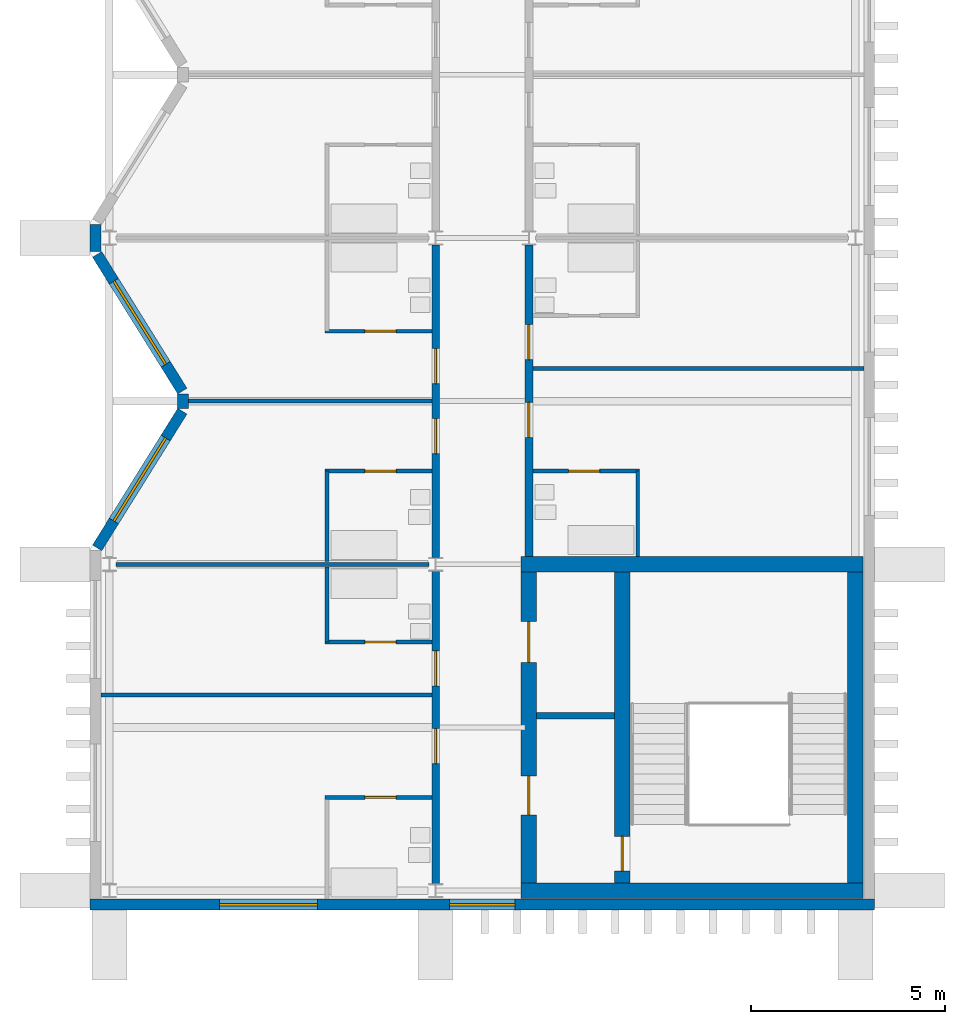
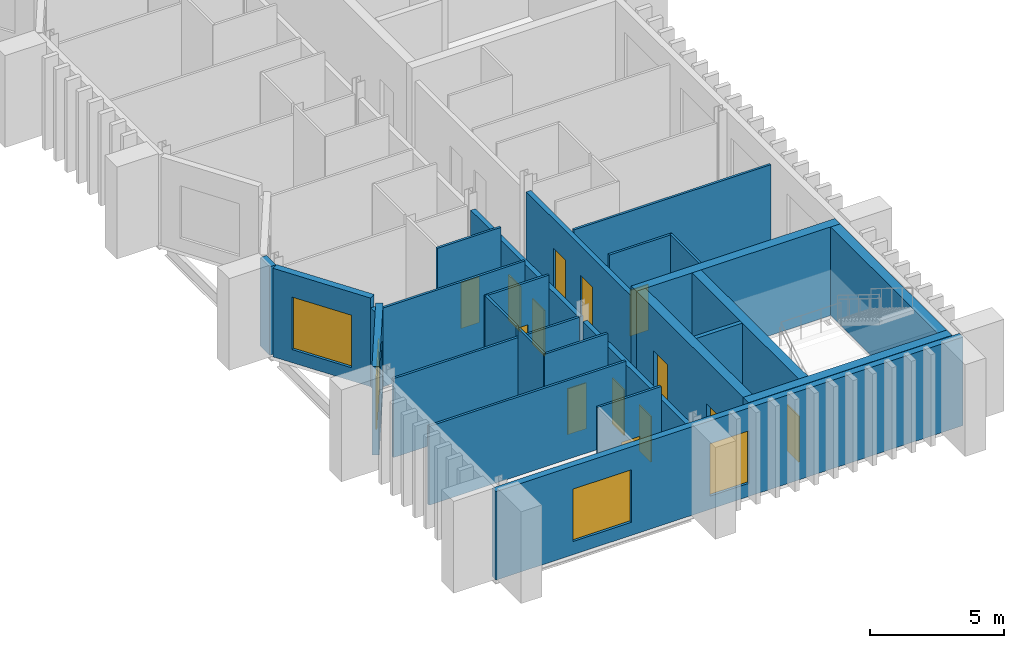
# One storey, part 4 of 11: 26 walls, 14 doors, 4 windows, 18 openings.
"""IFC4 building model written with IfcOpenShell, lengths in metres."""

from ifc_helpers import new_model, si_unit, direction, frame, frame_2d, origin, place, context, subcontext, project, spatial, rectangle, extrude, material, layer, layer_set, type_object, element, fill, save


model = new_model("IFC4")

# Units and contexts
model_context = context("Model", 3, precision=1e-05, world=origin(), true_north=direction((0.0, 1.0)))
body_context = subcontext(model_context, "Body", "Model", "MODEL_VIEW")
ifc_project = project(units=[si_unit("LENGTHUNIT", "METRE"), si_unit("AREAUNIT", "SQUARE_METRE"), si_unit("VOLUMEUNIT", "CUBIC_METRE"), si_unit("PLANEANGLEUNIT", "RADIAN"), si_unit("MASSUNIT", "GRAM", prefix="KILO")], contexts=[model_context])

# Site, building, storey
site_placement = place(None, origin())
site = spatial("IfcSite", under=ifc_project, at=site_placement, CompositionType="ELEMENT")
building_placement = place(site_placement, origin())
building = spatial("IfcBuilding", under=site, at=building_placement, Name="Cresset Court Congress Hotel", CompositionType="ELEMENT")
storey_placement = place(building_placement, frame((0.0, 0.0, 39.60009765625)))
storey = spatial("IfcBuildingStorey", under=building, at=storey_placement, Name="L09", CompositionType="ELEMENT", Elevation=39.60009765625)

# Wall, openings, doors
ifc_material_1 = material(Name="Gypsum board partition")
ifc_layer_1 = layer(ifc_material_1, 0.199951171875)
ifc_layer_set_1 = layer_set([ifc_layer_1], Name="Corridor wall 200")
wall_type_1 = type_object("IfcWallType", Name="Corridor wall 200", PredefinedType="PARTITIONING", material=ifc_layer_set_1)
wall_1_placement = place(storey_placement, frame((165.60009765625, 0.175048828125, 0.0), z_axis=(0.0, 0.0, 1.0), x_axis=(0.0, 1.0, 0.0)))
wall_1 = element("IfcWall", 1, at=wall_1_placement, inside=storey, type_object=wall_type_1, Name="A.wl.L09.070", PredefinedType="PARTITIONING", context=body_context, shape_type="SweptSolid", body=[
    extrude(rectangle(XDim=8.050048828125, YDim=0.199951171875, at=frame_2d((4.02490234375, 0.0))), origin(), (0.0, 0.0, 1.0), 3.449951171875),
])
opening_1_placement = place(wall_1_placement, frame((3.094970703125, 0.0, 0.0)))
opening_1 = element("IfcOpeningElement", 2, at=opening_1_placement, cuts=wall_1, Name="Opening DA-09-02", PredefinedType="OPENING", context=body_context, shape_type="SweptSolid", body=[
    extrude(rectangle(XDim=0.89990234375, YDim=2.10009765625, at=frame_2d((0.449951171875, 1.050048828125))), frame((0.0, 0.10986328125, 0.0), z_axis=(0.0, -1.0, 0.0), x_axis=(1.0, 0.0, 0.0)), (0.0, 0.0, 1.0), 0.219970703125),
])
opening_2_placement = place(wall_1_placement, frame((5.094970703125, 0.0, 0.0)))
opening_2 = element("IfcOpeningElement", 3, at=opening_2_placement, cuts=wall_1, Name="Opening DA-09-04", PredefinedType="OPENING", context=body_context, shape_type="SweptSolid", body=[
    extrude(rectangle(XDim=0.89990234375, YDim=2.10009765625, at=frame_2d((0.449951171875, 1.050048828125))), frame((0.0, 0.10986328125, 0.0), z_axis=(0.0, -1.0, 0.0), x_axis=(1.0, 0.0, 0.0)), (0.0, 0.0, 1.0), 0.219970703125),
])
ifc_material_2 = material(Name="timber", Category="wood")
door_type_1 = type_object("IfcDoorType", Name="Guest-room entry door 900x2100 FD30S", OperationType="SINGLE_SWING_LEFT", PredefinedType="DOOR", material=ifc_material_2)
door_1_placement = place(opening_1_placement, origin())
door_1 = element("IfcDoor", 4, at=door_1_placement, inside=storey, type_object=door_type_1, Name="Door DA-09-02", OperationType="SINGLE_SWING_RIGHT", OverallHeight=2.10009765625, OverallWidth=0.89990234375, PredefinedType="DOOR", context=body_context, shape_type="SweptSolid", body=[
    extrude(rectangle(XDim=0.89990234375, YDim=2.10009765625, at=frame_2d((0.449951171875, 1.050048828125))), frame((0.0, 0.02490234375, 0.0), z_axis=(0.0, -1.0, 0.0), x_axis=(1.0, 0.0, 0.0)), (0.0, 0.0, 1.0), 0.050048828125),
])
fill(opening_1, door_1)
door_2_placement = place(opening_2_placement, origin())
door_2 = element("IfcDoor", 5, at=door_2_placement, inside=storey, type_object=door_type_1, Name="Door DA-09-04", OperationType="SINGLE_SWING_LEFT", OverallHeight=2.10009765625, OverallWidth=0.89990234375, PredefinedType="DOOR", context=body_context, shape_type="SweptSolid", body=[
    extrude(rectangle(XDim=0.89990234375, YDim=2.10009765625, at=frame_2d((0.449951171875, 1.050048828125))), frame((0.0, 0.02490234375, 0.0), z_axis=(0.0, -1.0, 0.0), x_axis=(1.0, 0.0, 0.0)), (0.0, 0.0, 1.0), 0.050048828125),
])
fill(opening_2, door_2)

wall_2_placement = place(storey_placement, frame((165.60009765625, 8.574951171875, 0.0), z_axis=(0.0, 0.0, 1.0), x_axis=(0.0, 1.0, 0.0)))
wall_2 = element("IfcWall", 6, at=wall_2_placement, inside=storey, type_object=wall_type_1, Name="A.wl.L09.071", PredefinedType="PARTITIONING", context=body_context, shape_type="SweptSolid", body=[
    extrude(rectangle(XDim=8.050048828125, YDim=0.199951171875, at=frame_2d((4.02490234375, 0.0))), origin(), (0.0, 0.0, 1.0), 3.449951171875),
])
opening_3_placement = place(wall_2_placement, frame((2.675048828125, 0.0, 0.0)))
opening_3 = element("IfcOpeningElement", 7, at=opening_3_placement, cuts=wall_2, Name="Opening DA-09-06", PredefinedType="OPENING", context=body_context, shape_type="SweptSolid", body=[
    extrude(rectangle(XDim=0.89990234375, YDim=2.10009765625, at=frame_2d((0.449951171875, 1.050048828125))), frame((0.0, 0.10986328125, 0.0), z_axis=(0.0, -1.0, 0.0), x_axis=(1.0, 0.0, 0.0)), (0.0, 0.0, 1.0), 0.219970703125),
])
opening_4_placement = place(wall_2_placement, frame((4.47509765625, 0.0, 0.0)))
opening_4 = element("IfcOpeningElement", 8, at=opening_4_placement, cuts=wall_2, Name="Opening DA-09-08", PredefinedType="OPENING", context=body_context, shape_type="SweptSolid", body=[
    extrude(rectangle(XDim=0.89990234375, YDim=2.10009765625, at=frame_2d((0.449951171875, 1.050048828125))), frame((0.0, 0.10986328125, 0.0), z_axis=(0.0, -1.0, 0.0), x_axis=(1.0, 0.0, 0.0)), (0.0, 0.0, 1.0), 0.219970703125),
])
door_3_placement = place(opening_3_placement, origin())
door_3 = element("IfcDoor", 9, at=door_3_placement, inside=storey, type_object=door_type_1, Name="Door DA-09-06", OperationType="SINGLE_SWING_RIGHT", OverallHeight=2.10009765625, OverallWidth=0.89990234375, PredefinedType="DOOR", context=body_context, shape_type="SweptSolid", body=[
    extrude(rectangle(XDim=0.89990234375, YDim=2.10009765625, at=frame_2d((0.449951171875, 1.050048828125))), frame((0.0, 0.02490234375, 0.0), z_axis=(0.0, -1.0, 0.0), x_axis=(1.0, 0.0, 0.0)), (0.0, 0.0, 1.0), 0.050048828125),
])
fill(opening_3, door_3)
door_4_placement = place(opening_4_placement, origin())
door_4 = element("IfcDoor", 10, at=door_4_placement, inside=storey, type_object=door_type_1, Name="Door DA-09-08", OperationType="SINGLE_SWING_LEFT", OverallHeight=2.10009765625, OverallWidth=0.89990234375, PredefinedType="DOOR", context=body_context, shape_type="SweptSolid", body=[
    extrude(rectangle(XDim=0.89990234375, YDim=2.10009765625, at=frame_2d((0.449951171875, 1.050048828125))), frame((0.0, 0.02490234375, 0.0), z_axis=(0.0, -1.0, 0.0), x_axis=(1.0, 0.0, 0.0)), (0.0, 0.0, 1.0), 0.050048828125),
])
fill(opening_4, door_4)

wall_3_placement = place(storey_placement, frame((168.0, 8.60009765625, 0.0), z_axis=(0.0, 0.0, 1.0), x_axis=(0.0, 1.0, 0.0)))
wall_3 = element("IfcWall", 11, at=wall_3_placement, inside=storey, type_object=wall_type_1, Name="A.wl.L09.078", PredefinedType="PARTITIONING", context=body_context, shape_type="SweptSolid", body=[
    extrude(rectangle(XDim=8.02490234375, YDim=0.199951171875, at=frame_2d((4.012451171875, 0.0))), origin(), (0.0, 0.0, 1.0), 3.449951171875),
])
opening_5_placement = place(wall_3_placement, frame((3.070068359375, 0.0, 0.0)))
opening_5 = element("IfcOpeningElement", 12, at=opening_5_placement, cuts=wall_3, Name="Opening DA-09-34", PredefinedType="OPENING", context=body_context, shape_type="SweptSolid", body=[
    extrude(rectangle(XDim=0.89990234375, YDim=2.10009765625, at=frame_2d((0.449951171875, 1.050048828125))), frame((0.0, 0.10986328125, 0.0), z_axis=(0.0, -1.0, 0.0), x_axis=(1.0, 0.0, 0.0)), (0.0, 0.0, 1.0), 0.219970703125),
])
opening_6_placement = place(wall_3_placement, frame((5.070068359375, 0.0, 0.0)))
opening_6 = element("IfcOpeningElement", 13, at=opening_6_placement, cuts=wall_3, Name="Opening DA-09-36", PredefinedType="OPENING", context=body_context, shape_type="SweptSolid", body=[
    extrude(rectangle(XDim=0.89990234375, YDim=2.10009765625, at=frame_2d((0.449951171875, 1.050048828125))), frame((0.0, 0.10986328125, 0.0), z_axis=(0.0, -1.0, 0.0), x_axis=(1.0, 0.0, 0.0)), (0.0, 0.0, 1.0), 0.219970703125),
])
door_5_placement = place(opening_5_placement, origin())
door_5 = element("IfcDoor", 14, at=door_5_placement, inside=storey, type_object=door_type_1, Name="Door DA-09-34", OperationType="SINGLE_SWING_RIGHT", OverallHeight=2.10009765625, OverallWidth=0.89990234375, PredefinedType="DOOR", context=body_context, shape_type="SweptSolid", body=[
    extrude(rectangle(XDim=0.89990234375, YDim=2.10009765625, at=frame_2d((0.449951171875, 1.050048828125))), frame((0.0, 0.02490234375, 0.0), z_axis=(0.0, -1.0, 0.0), x_axis=(1.0, 0.0, 0.0)), (0.0, 0.0, 1.0), 0.050048828125),
])
fill(opening_5, door_5)
door_6_placement = place(opening_6_placement, origin())
door_6 = element("IfcDoor", 15, at=door_6_placement, inside=storey, type_object=door_type_1, Name="Door DA-09-36", OperationType="SINGLE_SWING_LEFT", OverallHeight=2.10009765625, OverallWidth=0.89990234375, PredefinedType="DOOR", context=body_context, shape_type="SweptSolid", body=[
    extrude(rectangle(XDim=0.89990234375, YDim=2.10009765625, at=frame_2d((0.449951171875, 1.050048828125))), frame((0.0, 0.02490234375, 0.0), z_axis=(0.0, -1.0, 0.0), x_axis=(1.0, 0.0, 0.0)), (0.0, 0.0, 1.0), 0.050048828125),
])
fill(opening_6, door_6)

# Wall, opening, door
ifc_material_3 = material(Name="Gypsum board partition")
ifc_layer_2 = layer(ifc_material_3, 0.10009765625)
ifc_layer_set_2 = layer_set([ifc_layer_2], Name="En-suite wall 100")
wall_type_2 = type_object("IfcWallType", Name="En-suite wall 100", PredefinedType="PARTITIONING", material=ifc_layer_set_2)
wall_4_placement = place(storey_placement, frame((162.75, 2.39990234375, 0.0), z_axis=(0.0, 0.0, 1.0), x_axis=(1.0, 0.0, 0.0)))
wall_4 = element("IfcWall", 16, at=wall_4_placement, inside=storey, type_object=wall_type_2, Name="A.wl.L09.002", PredefinedType="PARTITIONING", context=body_context, shape_type="SweptSolid", body=[
    extrude(rectangle(XDim=2.75, YDim=0.10009765625, at=frame_2d((1.375, 0.0))), origin(), (0.0, 0.0, 1.0), 4.0498046875),
])
opening_7_placement = place(wall_4_placement, frame((1.030029296875, 0.0, 0.0)))
opening_7 = element("IfcOpeningElement", 17, at=opening_7_placement, cuts=wall_4, Name="Opening DA-09-01", PredefinedType="OPENING", context=body_context, shape_type="SweptSolid", body=[
    extrude(rectangle(XDim=0.800048828125, YDim=2.10009765625, at=frame_2d((0.39990234375, 1.050048828125))), frame((0.0, 0.06005859375, 0.0), z_axis=(0.0, -1.0, 0.0), x_axis=(1.0, 0.0, 0.0)), (0.0, 0.0, 1.0), 0.1201171875),
])
ifc_material_4 = material(Name="timber", Category="wood")
door_type_2 = type_object("IfcDoorType", Name="En-suite door 800x2100", OperationType="SINGLE_SWING_LEFT", PredefinedType="DOOR", material=ifc_material_4)
door_7_placement = place(opening_7_placement, origin())
door_7 = element("IfcDoor", 18, at=door_7_placement, inside=storey, type_object=door_type_2, Name="Door DA-09-01", OperationType="SINGLE_SWING_RIGHT", OverallHeight=2.10009765625, OverallWidth=0.800048828125, PredefinedType="DOOR", context=body_context, shape_type="SweptSolid", body=[
    extrude(rectangle(XDim=0.800048828125, YDim=2.10009765625, at=frame_2d((0.39990234375, 1.050048828125))), frame((0.0, 0.02490234375, 0.0), z_axis=(0.0, -1.0, 0.0), x_axis=(1.0, 0.0, 0.0)), (0.0, 0.0, 1.0), 0.050048828125),
])
fill(opening_7, door_7)

# Wall
wall_5_placement = place(storey_placement, frame((162.800048828125, 6.39990234375, 0.0), z_axis=(0.0, 0.0, 1.0), x_axis=(0.0, 1.0, 0.0)))
element("IfcWall", 19, at=wall_5_placement, inside=storey, type_object=wall_type_2, Name="A.wl.L09.003", PredefinedType="PARTITIONING", context=body_context, shape_type="SweptSolid", body=[
    extrude(rectangle(XDim=1.925048828125, YDim=0.10009765625, at=frame_2d((0.96240234375, 0.0))), origin(), (0.0, 0.0, 1.0), 4.0498046875),
])

# Wall, opening, door
wall_6_placement = place(storey_placement, frame((162.75, 6.39990234375, 0.0), z_axis=(0.0, 0.0, 1.0), x_axis=(1.0, 0.0, 0.0)))
wall_6 = element("IfcWall", 20, at=wall_6_placement, inside=storey, type_object=wall_type_2, Name="A.wl.L09.004", PredefinedType="PARTITIONING", context=body_context, shape_type="SweptSolid", body=[
    extrude(rectangle(XDim=2.75, YDim=0.10009765625, at=frame_2d((1.375, 0.0))), origin(), (0.0, 0.0, 1.0), 4.0498046875),
])
opening_8_placement = place(wall_6_placement, frame((1.030029296875, 0.0, 0.0)))
opening_8 = element("IfcOpeningElement", 21, at=opening_8_placement, cuts=wall_6, Name="Opening DA-09-03", PredefinedType="OPENING", context=body_context, shape_type="SweptSolid", body=[
    extrude(rectangle(XDim=0.800048828125, YDim=2.10009765625, at=frame_2d((0.39990234375, 1.050048828125))), frame((0.0, 0.06005859375, 0.0), z_axis=(0.0, -1.0, 0.0), x_axis=(1.0, 0.0, 0.0)), (0.0, 0.0, 1.0), 0.1201171875),
])
door_8_placement = place(opening_8_placement, origin())
door_8 = element("IfcDoor", 22, at=door_8_placement, inside=storey, type_object=door_type_2, Name="Door DA-09-03", OperationType="SINGLE_SWING_LEFT", OverallHeight=2.10009765625, OverallWidth=0.800048828125, PredefinedType="DOOR", context=body_context, shape_type="SweptSolid", body=[
    extrude(rectangle(XDim=0.800048828125, YDim=2.10009765625, at=frame_2d((0.39990234375, 1.050048828125))), frame((0.0, 0.02490234375, 0.0), z_axis=(0.0, -1.0, 0.0), x_axis=(1.0, 0.0, 0.0)), (0.0, 0.0, 1.0), 0.050048828125),
])
fill(opening_8, door_8)

# Wall
wall_7_placement = place(storey_placement, frame((162.800048828125, 8.47509765625, 0.0), z_axis=(0.0, 0.0, 1.0), x_axis=(0.0, 1.0, 0.0)))
element("IfcWall", 23, at=wall_7_placement, inside=storey, type_object=wall_type_2, Name="A.wl.L09.005", PredefinedType="PARTITIONING", context=body_context, shape_type="SweptSolid", body=[
    extrude(rectangle(XDim=2.324951171875, YDim=0.10009765625, at=frame_2d((1.16259765625, 0.0))), origin(), (0.0, 0.0, 1.0), 4.0498046875),
])

# Wall, opening, door
wall_8_placement = place(storey_placement, frame((162.75, 10.800048828125, 0.0), z_axis=(0.0, 0.0, 1.0), x_axis=(1.0, 0.0, 0.0)))
wall_8 = element("IfcWall", 24, at=wall_8_placement, inside=storey, type_object=wall_type_2, Name="A.wl.L09.006", PredefinedType="PARTITIONING", context=body_context, shape_type="SweptSolid", body=[
    extrude(rectangle(XDim=2.75, YDim=0.10009765625, at=frame_2d((1.375, 0.0))), origin(), (0.0, 0.0, 1.0), 4.0498046875),
])
opening_9_placement = place(wall_8_placement, frame((1.030029296875, 0.0, 0.0)))
opening_9 = element("IfcOpeningElement", 25, at=opening_9_placement, cuts=wall_8, Name="Opening DA-09-05", PredefinedType="OPENING", context=body_context, shape_type="SweptSolid", body=[
    extrude(rectangle(XDim=0.800048828125, YDim=2.10009765625, at=frame_2d((0.39990234375, 1.050048828125))), frame((0.0, 0.06005859375, 0.0), z_axis=(0.0, -1.0, 0.0), x_axis=(1.0, 0.0, 0.0)), (0.0, 0.0, 1.0), 0.1201171875),
])
door_9_placement = place(opening_9_placement, origin())
door_9 = element("IfcDoor", 26, at=door_9_placement, inside=storey, type_object=door_type_2, Name="Door DA-09-05", OperationType="SINGLE_SWING_RIGHT", OverallHeight=2.10009765625, OverallWidth=0.800048828125, PredefinedType="DOOR", context=body_context, shape_type="SweptSolid", body=[
    extrude(rectangle(XDim=0.800048828125, YDim=2.10009765625, at=frame_2d((0.39990234375, 1.050048828125))), frame((0.0, 0.02490234375, 0.0), z_axis=(0.0, -1.0, 0.0), x_axis=(1.0, 0.0, 0.0)), (0.0, 0.0, 1.0), 0.050048828125),
])
fill(opening_9, door_9)

wall_9_placement = place(storey_placement, frame((162.75, 14.39990234375, 0.0), z_axis=(0.0, 0.0, 1.0), x_axis=(1.0, 0.0, 0.0)))
wall_9 = element("IfcWall", 27, at=wall_9_placement, inside=storey, type_object=wall_type_2, Name="A.wl.L09.008", PredefinedType="PARTITIONING", context=body_context, shape_type="SweptSolid", body=[
    extrude(rectangle(XDim=2.75, YDim=0.10009765625, at=frame_2d((1.375, 0.0))), origin(), (0.0, 0.0, 1.0), 4.0498046875),
])
opening_10_placement = place(wall_9_placement, frame((1.030029296875, 0.0, 0.0)))
opening_10 = element("IfcOpeningElement", 28, at=opening_10_placement, cuts=wall_9, Name="Opening DA-09-07", PredefinedType="OPENING", context=body_context, shape_type="SweptSolid", body=[
    extrude(rectangle(XDim=0.800048828125, YDim=2.10009765625, at=frame_2d((0.39990234375, 1.050048828125))), frame((0.0, 0.06005859375, 0.0), z_axis=(0.0, -1.0, 0.0), x_axis=(1.0, 0.0, 0.0)), (0.0, 0.0, 1.0), 0.1201171875),
])
door_10_placement = place(opening_10_placement, origin())
door_10 = element("IfcDoor", 29, at=door_10_placement, inside=storey, type_object=door_type_2, Name="Door DA-09-07", OperationType="SINGLE_SWING_LEFT", OverallHeight=2.10009765625, OverallWidth=0.800048828125, PredefinedType="DOOR", context=body_context, shape_type="SweptSolid", body=[
    extrude(rectangle(XDim=0.800048828125, YDim=2.10009765625, at=frame_2d((0.39990234375, 1.050048828125))), frame((0.0, 0.02490234375, 0.0), z_axis=(0.0, -1.0, 0.0), x_axis=(1.0, 0.0, 0.0)), (0.0, 0.0, 1.0), 0.050048828125),
])
fill(opening_10, door_10)

# Wall
wall_10_placement = place(storey_placement, frame((170.800048828125, 8.60009765625, 0.0), z_axis=(0.0, 0.0, 1.0), x_axis=(0.0, 1.0, 0.0)))
element("IfcWall", 30, at=wall_10_placement, inside=storey, type_object=wall_type_2, Name="A.wl.L09.033", PredefinedType="PARTITIONING", context=body_context, shape_type="SweptSolid", body=[
    extrude(rectangle(XDim=2.199951171875, YDim=0.10009765625, at=frame_2d((1.10009765625, 0.0))), origin(), (0.0, 0.0, 1.0), 4.0498046875),
])

# Wall, opening, door
wall_11_placement = place(storey_placement, frame((170.85009765625, 10.800048828125, 0.0), z_axis=(0.0, 0.0, 1.0), x_axis=(-1.0, 0.0, 0.0)))
wall_11 = element("IfcWall", 31, at=wall_11_placement, inside=storey, type_object=wall_type_2, Name="A.wl.L09.034", PredefinedType="PARTITIONING", context=body_context, shape_type="SweptSolid", body=[
    extrude(rectangle(XDim=2.75, YDim=0.10009765625, at=frame_2d((1.375, 0.0))), origin(), (0.0, 0.0, 1.0), 4.0498046875),
])
opening_11_placement = place(wall_11_placement, frame((1.030029296875, 0.0, 0.0)))
opening_11 = element("IfcOpeningElement", 32, at=opening_11_placement, cuts=wall_11, Name="Opening DA-09-33", PredefinedType="OPENING", context=body_context, shape_type="SweptSolid", body=[
    extrude(rectangle(XDim=0.800048828125, YDim=2.10009765625, at=frame_2d((0.39990234375, 1.050048828125))), frame((0.0, 0.06005859375, 0.0), z_axis=(0.0, -1.0, 0.0), x_axis=(1.0, 0.0, 0.0)), (0.0, 0.0, 1.0), 0.1201171875),
])
door_11_placement = place(opening_11_placement, origin())
door_11 = element("IfcDoor", 33, at=door_11_placement, inside=storey, type_object=door_type_2, Name="Door DA-09-33", OperationType="SINGLE_SWING_RIGHT", OverallHeight=2.10009765625, OverallWidth=0.800048828125, PredefinedType="DOOR", context=body_context, shape_type="SweptSolid", body=[
    extrude(rectangle(XDim=0.800048828125, YDim=2.10009765625, at=frame_2d((0.39990234375, 1.050048828125))), frame((0.0, 0.02490234375, 0.0), z_axis=(0.0, -1.0, 0.0), x_axis=(1.0, 0.0, 0.0)), (0.0, 0.0, 1.0), 0.050048828125),
])
fill(opening_11, door_11)

# Wall, opening, window
ifc_material_5 = material(Name="Precast concrete C50", Category="concrete")
ifc_layer_3 = layer(ifc_material_5, 0.280029296875)
ifc_layer_set_3 = layer_set([ifc_layer_3], Name="External wall 280")
wall_type_3 = type_object("IfcWallType", Name="External wall 280", PredefinedType="SOLIDWALL", material=ifc_layer_set_3)
wall_12_placement = place(storey_placement, frame((156.88623046875, 8.82421875, 0.0), z_axis=(0.0, 0.0, 1.0), x_axis=(0.529018946142, 0.848610013271, 0.0)))
wall_12 = element("IfcWall", 34, at=wall_12_placement, inside=storey, type_object=wall_type_3, Name="A.ew.L09.Wn.1.0", PredefinedType="SOLIDWALL", context=body_context, shape_type="SweptSolid", body=[
    extrude(rectangle(XDim=4.144287109375, YDim=0.280029296875, at=frame_2d((2.072265625, 0.0))), origin(), (0.0, 0.0, 1.0), 4.0498046875),
])
opening_12_placement = place(wall_12_placement, frame((0.812255859375, 0.0, 0.60009765625)))
opening_12 = element("IfcOpeningElement", 35, at=opening_12_placement, cuts=wall_12, Name="Opening NA-09-03", PredefinedType="OPENING", context=body_context, shape_type="SweptSolid", body=[
    extrude(rectangle(XDim=2.52001953125, YDim=2.39990234375, at=frame_2d((1.260009765625, 1.199951171875))), frame((0.0, 0.14990234375, 0.0), z_axis=(0.0, -1.0, 0.0), x_axis=(1.0, 0.0, 0.0)), (0.0, 0.0, 1.0), 0.300048828125),
])
ifc_material_6 = material(Name="Aluminium and glass", Category="aluminium")
window_type_1 = type_object("IfcWindowType", Name="Window 2520x2400", PartitioningType="SINGLE_PANEL", PredefinedType="WINDOW", material=ifc_material_6)
window_1_placement = place(opening_12_placement, origin())
window_1 = element("IfcWindow", 36, at=window_1_placement, inside=storey, type_object=window_type_1, Name="Window NA-09-03", OverallHeight=2.39990234375, OverallWidth=2.52001953125, PartitioningType="SINGLE_PANEL", PredefinedType="WINDOW", context=body_context, shape_type="SweptSolid", body=[
    extrude(rectangle(XDim=2.52001953125, YDim=2.39990234375, at=frame_2d((1.260009765625, 1.199951171875))), frame((0.0, 0.030029296875, 0.0), z_axis=(0.0, -1.0, 0.0), x_axis=(1.0, 0.0, 0.0)), (0.0, 0.0, 1.0), 0.06005859375),
])
fill(opening_12, window_1)

wall_13_placement = place(storey_placement, frame((159.07861328125, 12.85888671875, 0.0), z_axis=(0.0, 0.0, 1.0), x_axis=(-0.528992500338, 0.848626498871, 0.0)))
wall_13 = element("IfcWall", 37, at=wall_13_placement, inside=storey, type_object=wall_type_3, Name="A.ew.L09.Wn.1.1", PredefinedType="SOLIDWALL", context=body_context, shape_type="SweptSolid", body=[
    extrude(rectangle(XDim=4.14453125, YDim=0.280029296875, at=frame_2d((2.072265625, 0.0))), origin(), (0.0, 0.0, 1.0), 4.0498046875),
])
opening_13_placement = place(wall_13_placement, frame((0.812255859375, 0.0, 0.60009765625)))
opening_13 = element("IfcOpeningElement", 38, at=opening_13_placement, cuts=wall_13, Name="Opening NA-09-04", PredefinedType="OPENING", context=body_context, shape_type="SweptSolid", body=[
    extrude(rectangle(XDim=2.52001953125, YDim=2.39990234375, at=frame_2d((1.260009765625, 1.199951171875))), frame((0.0, 0.14990234375, 0.0), z_axis=(0.0, -1.0, 0.0), x_axis=(1.0, 0.0, 0.0)), (0.0, 0.0, 1.0), 0.300048828125),
])
window_2_placement = place(opening_13_placement, origin())
window_2 = element("IfcWindow", 39, at=window_2_placement, inside=storey, type_object=window_type_1, Name="Window NA-09-04", OverallHeight=2.39990234375, OverallWidth=2.52001953125, PartitioningType="SINGLE_PANEL", PredefinedType="WINDOW", context=body_context, shape_type="SweptSolid", body=[
    extrude(rectangle(XDim=2.52001953125, YDim=2.39990234375, at=frame_2d((1.260009765625, 1.199951171875))), frame((0.0, 0.030029296875, 0.0), z_axis=(0.0, -1.0, 0.0), x_axis=(1.0, 0.0, 0.0)), (0.0, 0.0, 1.0), 0.06005859375),
])
fill(opening_13, window_2)

# Walls
wall_14_placement = place(storey_placement, frame((159.099609375, 12.4150390625, 0.0), z_axis=(0.0, 0.0, 1.0), x_axis=(0.0, 1.0, 0.0)))
element("IfcWall", 40, at=wall_14_placement, inside=storey, type_object=wall_type_3, Name="A.ew.L09.Wn.1.2", PredefinedType="SOLIDWALL", context=body_context, shape_type="SweptSolid", body=[
    extrude(rectangle(XDim=0.369873046875, YDim=0.280029296875, at=frame_2d((0.18505859375, 0.0))), origin(), (0.0, 0.0, 1.0), 3.60400390625),
])
wall_15_placement = place(storey_placement, frame((156.840087890625, 16.449951171875, 0.0), z_axis=(0.0, 0.0, 1.0), x_axis=(0.0, 1.0, 0.0)))
element("IfcWall", 41, at=wall_15_placement, inside=storey, type_object=wall_type_3, Name="A.ew.L09.W.2", PredefinedType="SOLIDWALL", context=body_context, shape_type="SweptSolid", body=[
    extrude(rectangle(XDim=0.699951171875, YDim=0.280029296875, at=frame_2d((0.35009765625, 0.0))), origin(), (0.0, 0.0, 1.0), 4.0498046875),
])

# Wall, openings, windows
ifc_material_7 = material(Name="Precast concrete C50", Category="concrete")
ifc_layer_4 = layer(ifc_material_7, 0.280029296875)
ifc_layer_set_4 = layer_set([ifc_layer_4], Name="Gable end wall 280")
wall_type_4 = type_object("IfcWallType", Name="Gable end wall 280", PredefinedType="SOLIDWALL", material=ifc_layer_set_4)
wall_16_placement = place(storey_placement, frame((156.699951171875, -0.360107421875, 0.0), z_axis=(0.0, 0.0, 1.0), x_axis=(1.0, 0.0, 0.0)))
wall_16 = element("IfcWall", 42, at=wall_16_placement, inside=storey, type_object=wall_type_4, Name="A.ew.L09.S.1", PredefinedType="SOLIDWALL", context=body_context, shape_type="SweptSolid", body=[
    extrude(rectangle(XDim=20.199951171875, YDim=0.280029296875, at=frame_2d((10.10009765625, 0.0))), origin(), (0.0, 0.0, 1.0), 4.0498046875),
])
opening_14_placement = place(wall_16_placement, frame((9.260009765625, 0.0, 0.60009765625)))
opening_14 = element("IfcOpeningElement", 43, at=opening_14_placement, cuts=wall_16, Name="Opening NA-09-25", PredefinedType="OPENING", context=body_context, shape_type="SweptSolid", body=[
    extrude(rectangle(XDim=1.679931640625, YDim=2.39990234375, at=frame_2d((0.83984375, 1.199951171875))), frame((0.0, 0.14990234375, 0.0), z_axis=(0.0, -1.0, 0.0), x_axis=(1.0, 0.0, 0.0)), (0.0, 0.0, 1.0), 0.300048828125),
])
opening_15_placement = place(wall_16_placement, frame((3.340087890625, 0.0, 0.60009765625)))
opening_15 = element("IfcOpeningElement", 44, at=opening_15_placement, cuts=wall_16, Name="Opening NA-09-26", PredefinedType="OPENING", context=body_context, shape_type="SweptSolid", body=[
    extrude(rectangle(XDim=2.52001953125, YDim=2.39990234375, at=frame_2d((1.260009765625, 1.199951171875))), frame((0.0, 0.14990234375, 0.0), z_axis=(0.0, -1.0, 0.0), x_axis=(1.0, 0.0, 0.0)), (0.0, 0.0, 1.0), 0.300048828125),
])
ifc_material_8 = material(Name="Aluminium and glass", Category="aluminium")
window_type_2 = type_object("IfcWindowType", Name="Window 1680x2400", PartitioningType="SINGLE_PANEL", PredefinedType="WINDOW", material=ifc_material_8)
window_3_placement = place(opening_14_placement, origin())
window_3 = element("IfcWindow", 45, at=window_3_placement, inside=storey, type_object=window_type_2, Name="Window NA-09-25", OverallHeight=2.39990234375, OverallWidth=1.679931640625, PartitioningType="SINGLE_PANEL", PredefinedType="WINDOW", context=body_context, shape_type="SweptSolid", body=[
    extrude(rectangle(XDim=1.679931640625, YDim=2.39990234375, at=frame_2d((0.83984375, 1.199951171875))), frame((0.0, 0.030029296875, 0.0), z_axis=(0.0, -1.0, 0.0), x_axis=(1.0, 0.0, 0.0)), (0.0, 0.0, 1.0), 0.06005859375),
])
fill(opening_14, window_3)
window_4_placement = place(opening_15_placement, origin())
window_4 = element("IfcWindow", 46, at=window_4_placement, inside=storey, type_object=window_type_1, Name="Window NA-09-26", OverallHeight=2.39990234375, OverallWidth=2.52001953125, PartitioningType="SINGLE_PANEL", PredefinedType="WINDOW", context=body_context, shape_type="SweptSolid", body=[
    extrude(rectangle(XDim=2.52001953125, YDim=2.39990234375, at=frame_2d((1.260009765625, 1.199951171875))), frame((0.0, 0.030029296875, 0.0), z_axis=(0.0, -1.0, 0.0), x_axis=(1.0, 0.0, 0.0)), (0.0, 0.0, 1.0), 0.06005859375),
])
fill(opening_15, window_4)

# Walls
ifc_material_9 = material(Name="Gypsum board partition")
ifc_layer_5 = layer(ifc_material_9, 0.10009765625)
ifc_layer_set_5 = layer_set([ifc_layer_5], Name="Guest-room partition 100")
wall_type_5 = type_object("IfcWallType", Name="Guest-room partition 100", PredefinedType="PARTITIONING", material=ifc_layer_set_5)
wall_17_placement = place(storey_placement, frame((157.375, 8.39990234375, 0.0), z_axis=(0.0, 0.0, 1.0), x_axis=(1.0, 0.0, 0.0)))
element("IfcWall", 47, at=wall_17_placement, inside=storey, type_object=wall_type_5, Name="A.wl.L09.049", PredefinedType="PARTITIONING", context=body_context, shape_type="SweptSolid", body=[
    extrude(rectangle(XDim=8.050048828125, YDim=0.10009765625, at=frame_2d((4.02490234375, 0.0))), origin(), (0.0, 0.0, 1.0), 3.60400390625),
])
wall_18_placement = place(storey_placement, frame((156.97998046875, 5.0400390625, 0.0), z_axis=(0.0, 0.0, 1.0), x_axis=(1.0, 0.0, 0.0)))
element("IfcWall", 48, at=wall_18_placement, inside=storey, type_object=wall_type_5, Name="A.wl.L09.058", PredefinedType="PARTITIONING", context=body_context, shape_type="SweptSolid", body=[
    extrude(rectangle(XDim=8.52001953125, YDim=0.10009765625, at=frame_2d((4.260009765625, 0.0))), origin(), (0.0, 0.0, 1.0), 3.60400390625),
])
wall_19_placement = place(storey_placement, frame((159.23974609375, 12.60009765625, 0.0), z_axis=(0.0, 0.0, 1.0), x_axis=(1.0, 0.0, 0.0)))
element("IfcWall", 49, at=wall_19_placement, inside=storey, type_object=wall_type_5, Name="A.wl.L09.059", PredefinedType="PARTITIONING", context=body_context, shape_type="SweptSolid", body=[
    extrude(rectangle(XDim=6.26025390625, YDim=0.10009765625, at=frame_2d((3.130126953125, 0.0))), origin(), (0.0, 0.0, 1.0), 3.60400390625),
])
wall_20_placement = place(storey_placement, frame((168.10009765625, 13.43994140625, 0.0), z_axis=(0.0, 0.0, 1.0), x_axis=(1.0, 0.0, 0.0)))
element("IfcWall", 50, at=wall_20_placement, inside=storey, type_object=wall_type_5, Name="A.wl.L09.066", PredefinedType="PARTITIONING", context=body_context, shape_type="SweptSolid", body=[
    extrude(rectangle(XDim=8.52001953125, YDim=0.10009765625, at=frame_2d((4.260009765625, 0.0))), origin(), (0.0, 0.0, 1.0), 3.60400390625),
])
ifc_material_10 = material(Name="Concrete block wall", Category="concrete")
ifc_layer_6 = layer(ifc_material_10, 0.175048828125)
ifc_layer_set_6 = layer_set([ifc_layer_6], Name="Riser shaft wall 175")
wall_type_6 = type_object("IfcWallType", Name="Riser shaft wall 175", PredefinedType="PARTITIONING", material=ifc_layer_set_6)
wall_21_placement = place(storey_placement, frame((168.199951171875, 4.5, 0.0), z_axis=(0.0, 0.0, 1.0), x_axis=(1.0, 0.0, 0.0)))
element("IfcWall", 51, at=wall_21_placement, inside=storey, type_object=wall_type_6, Name="A.wl.L09.083", PredefinedType="PARTITIONING", context=body_context, shape_type="SweptSolid", body=[
    extrude(rectangle(XDim=2.0, YDim=0.175048828125, at=frame_2d((1.0, 0.0))), origin(), (0.0, 0.0, 1.0), 4.0498046875),
])
ifc_material_11 = material(Name="Concrete C50", Category="concrete")
ifc_layer_7 = layer(ifc_material_11, 0.39990234375)
ifc_layer_set_7 = layer_set([ifc_layer_7], Name="Stair core wall 400")
wall_type_7 = type_object("IfcWallType", Name="Stair core wall 400", PredefinedType="SOLIDWALL", material=ifc_layer_set_7)
for number, where, z_axis, x_axis, name in (
    (52, (167.800048828125, 0.0, 0.0), (0.0, 0.0, 1.0), (1.0, 0.0, 0.0), "A.cw.ST-A1.L09.S"),
    (53, (167.800048828125, 8.39990234375, 0.0), (0.0, 0.0, 1.0), (1.0, 0.0, 0.0), "A.cw.ST-A1.L09.N"),
):
    element("IfcWall", number, at=place(storey_placement, frame(where, z_axis=z_axis, x_axis=x_axis)), inside=storey, type_object=wall_type_7, Name=name, PredefinedType="SOLIDWALL", context=body_context, shape_type="SweptSolid", body=[
        extrude(rectangle(XDim=8.800048828125, YDim=0.39990234375, at=frame_2d((4.39990234375, 0.0))), origin(), (0.0, 0.0, 1.0), 4.0498046875),
    ])

# Wall, openings, doors
wall_22_placement = place(storey_placement, frame((168.0, 0.199951171875, 0.0), z_axis=(0.0, 0.0, 1.0), x_axis=(0.0, 1.0, 0.0)))
wall_22 = element("IfcWall", 54, at=wall_22_placement, inside=storey, type_object=wall_type_7, Name="A.cw.ST-A1.L09.W", PredefinedType="SOLIDWALL", context=body_context, shape_type="SweptSolid", body=[
    extrude(rectangle(XDim=8.0, YDim=0.39990234375, at=frame_2d((4.0, 0.0))), origin(), (0.0, 0.0, 1.0), 4.0498046875),
])
opening_16_placement = place(wall_22_placement, frame((1.75, 0.0, 0.0)))
opening_16 = element("IfcOpeningElement", 55, at=opening_16_placement, cuts=wall_22, Name="Opening DA-09-50", PredefinedType="OPENING", context=body_context, shape_type="SweptSolid", body=[
    extrude(rectangle(XDim=1.0, YDim=2.10009765625, at=frame_2d((0.5, 1.050048828125))), frame((0.0, 0.2099609375, 0.0), z_axis=(0.0, -1.0, 0.0), x_axis=(1.0, 0.0, 0.0)), (0.0, 0.0, 1.0), 0.419921875),
])
opening_17_placement = place(wall_22_placement, frame((5.675048828125, 0.0, 0.0)))
opening_17 = element("IfcOpeningElement", 56, at=opening_17_placement, cuts=wall_22, Name="Opening DA-09-51", PredefinedType="OPENING", context=body_context, shape_type="SweptSolid", body=[
    extrude(rectangle(XDim=1.050048828125, YDim=2.10009765625, at=frame_2d((0.52490234375, 1.050048828125))), frame((0.0, 0.2099609375, 0.0), z_axis=(0.0, -1.0, 0.0), x_axis=(1.0, 0.0, 0.0)), (0.0, 0.0, 1.0), 0.419921875),
])
ifc_material_12 = material(Name="steel", Category="steel")
door_type_3 = type_object("IfcDoorType", Name="Housekeeping room door 1050x2100 FD30", OperationType="SINGLE_SWING_LEFT", PredefinedType="DOOR", material=ifc_material_12)
door_12_placement = place(opening_17_placement, origin())
door_12 = element("IfcDoor", 57, at=door_12_placement, inside=storey, type_object=door_type_3, Name="Door DA-09-51", OperationType="SINGLE_SWING_LEFT", OverallHeight=2.10009765625, OverallWidth=1.050048828125, PredefinedType="DOOR", context=body_context, shape_type="SweptSolid", body=[
    extrude(rectangle(XDim=1.050048828125, YDim=2.10009765625, at=frame_2d((0.52490234375, 1.050048828125))), frame((0.0, 0.02490234375, 0.0), z_axis=(0.0, -1.0, 0.0), x_axis=(1.0, 0.0, 0.0)), (0.0, 0.0, 1.0), 0.050048828125),
])
fill(opening_17, door_12)
ifc_material_13 = material(Name="steel", Category="steel")
door_type_4 = type_object("IfcDoorType", Name="Lobby door 1000x2100 FD60", OperationType="SINGLE_SWING_LEFT", PredefinedType="DOOR", material=ifc_material_13)
door_13_placement = place(opening_16_placement, origin())
door_13 = element("IfcDoor", 58, at=door_13_placement, inside=storey, type_object=door_type_4, Name="Door DA-09-50", OperationType="SINGLE_SWING_RIGHT", OverallHeight=2.10009765625, OverallWidth=1.0, PredefinedType="DOOR", context=body_context, shape_type="SweptSolid", body=[
    extrude(rectangle(XDim=1.0, YDim=2.10009765625, at=frame_2d((0.5, 1.050048828125))), frame((0.0, 0.02490234375, 0.0), z_axis=(0.0, -1.0, 0.0), x_axis=(1.0, 0.0, 0.0)), (0.0, 0.0, 1.0), 0.050048828125),
])
fill(opening_16, door_13)

# Wall
wall_23_placement = place(storey_placement, frame((176.39990234375, 0.199951171875, 0.0), z_axis=(0.0, 0.0, 1.0), x_axis=(0.0, 1.0, 0.0)))
element("IfcWall", 59, at=wall_23_placement, inside=storey, type_object=wall_type_7, Name="A.cw.ST-A1.L09.E", PredefinedType="SOLIDWALL", context=body_context, shape_type="SweptSolid", body=[
    extrude(rectangle(XDim=8.0, YDim=0.39990234375, at=frame_2d((4.0, 0.0))), origin(), (0.0, 0.0, 1.0), 4.0498046875),
])

# Wall, opening, door
wall_24_placement = place(storey_placement, frame((170.39990234375, 0.199951171875, 0.0), z_axis=(0.0, 0.0, 1.0), x_axis=(0.0, 1.0, 0.0)))
wall_24 = element("IfcWall", 60, at=wall_24_placement, inside=storey, type_object=wall_type_7, Name="A.wl.L09.082", PredefinedType="SOLIDWALL", context=body_context, shape_type="SweptSolid", body=[
    extrude(rectangle(XDim=8.0, YDim=0.39990234375, at=frame_2d((4.0, 0.0))), origin(), (0.0, 0.0, 1.0), 4.0498046875),
])
opening_18_placement = place(wall_24_placement, frame((0.300048828125, 0.0, 0.0)))
opening_18 = element("IfcOpeningElement", 61, at=opening_18_placement, cuts=wall_24, Name="Opening DA-09-49", PredefinedType="OPENING", context=body_context, shape_type="SweptSolid", body=[
    extrude(rectangle(XDim=0.89990234375, YDim=2.10009765625, at=frame_2d((0.449951171875, 1.050048828125))), frame((0.0, 0.2099609375, 0.0), z_axis=(0.0, -1.0, 0.0), x_axis=(1.0, 0.0, 0.0)), (0.0, 0.0, 1.0), 0.419921875),
])
ifc_material_14 = material(Name="steel", Category="steel")
door_type_5 = type_object("IfcDoorType", Name="Stair door 900x2100 FD60", OperationType="SINGLE_SWING_LEFT", PredefinedType="DOOR", material=ifc_material_14)
door_14_placement = place(opening_18_placement, origin())
door_14 = element("IfcDoor", 62, at=door_14_placement, inside=storey, type_object=door_type_5, Name="Door DA-09-49", OperationType="SINGLE_SWING_LEFT", OverallHeight=2.10009765625, OverallWidth=0.89990234375, PredefinedType="DOOR", context=body_context, shape_type="SweptSolid", body=[
    extrude(rectangle(XDim=0.89990234375, YDim=2.10009765625, at=frame_2d((0.449951171875, 1.050048828125))), frame((0.0, 0.02490234375, 0.0), z_axis=(0.0, -1.0, 0.0), x_axis=(1.0, 0.0, 0.0)), (0.0, 0.0, 1.0), 0.050048828125),
])
fill(opening_18, door_14)

save(model, "model.ifc")
